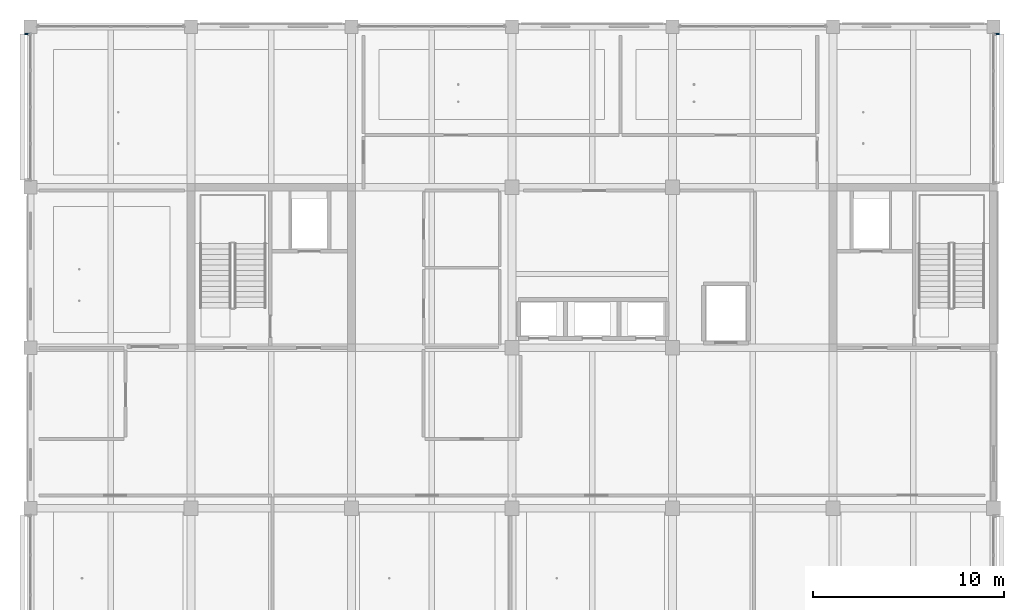
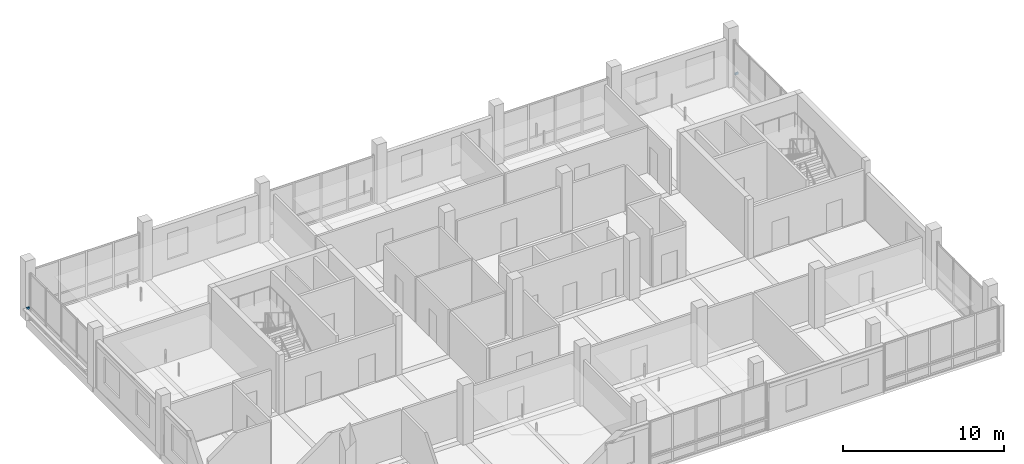
# One storey, part 21 of 32: 2 discrete accessories.
"""IFC4 building model written with IfcOpenShell, lengths in metres."""

from ifc_helpers import new_model, si_unit, direction, frame, origin, origin_2d, place, context, subcontext, project, spatial, rectangle, extrude, material, type_object, element, save


model = new_model("IFC4")

# Units and contexts
model_context = context("Model", 3, precision=1e-05, world=origin(), true_north=direction((0.0, 1.0)))
body_context = subcontext(model_context, "Body", "Model", "MODEL_VIEW")
ifc_project = project(units=[si_unit("LENGTHUNIT", "METRE"), si_unit("AREAUNIT", "SQUARE_METRE"), si_unit("VOLUMEUNIT", "CUBIC_METRE"), si_unit("PLANEANGLEUNIT", "RADIAN"), si_unit("MASSUNIT", "GRAM", prefix="KILO")], contexts=[model_context])

# Site, building, storey
site_placement = place(None, origin())
site = spatial("IfcSite", under=ifc_project, at=site_placement, CompositionType="ELEMENT")
building_placement = place(site_placement, origin())
building = spatial("IfcBuilding", under=site, at=building_placement, Name="Telukmera Botanical Conservatory", CompositionType="ELEMENT")
storey_placement = place(building_placement, frame((0.0, 0.0, 42.0)))
storey = spatial("IfcBuildingStorey", under=building, at=storey_placement, Name="L09", CompositionType="ELEMENT", Elevation=42.0)

# Discrete accessories
ifc_material = material(Name="Steel S355", Category="steel")
discrete_accessory_type = type_object("IfcDiscreteAccessoryType", Name="Structural Steel Facade Outrigger Fin Bracket", PredefinedType="BRACKET", material=ifc_material)
for number, where, z_axis, x_axis, name in (
    (1, (50.2099609375, 42.41796875, 0.8798828125), (0.0, 0.0, 1.0), (0.0, 1.0, 0.0), "Facade Outrigger Bracket V4:L09:W4 B"),
    (2, (100.989990234375, 42.41796875, 0.8798828125), (0.0, 0.0, 1.0), (0.0, 1.0, 0.0), "Facade Outrigger Bracket V4:L09:E4 B"),
):
    element("IfcDiscreteAccessory", number, at=place(storey_placement, frame(where, z_axis=z_axis, x_axis=x_axis)), inside=storey, type_object=discrete_accessory_type, Name=name, PredefinedType="BRACKET", context=body_context, shape_type="SweptSolid", body=[
        extrude(rectangle(XDim=0.10009765625, YDim=0.239990234375, at=origin_2d()), origin(), (0.0, 0.0, 1.0), 0.139892578125),
    ])

save(model, "model.ifc")
